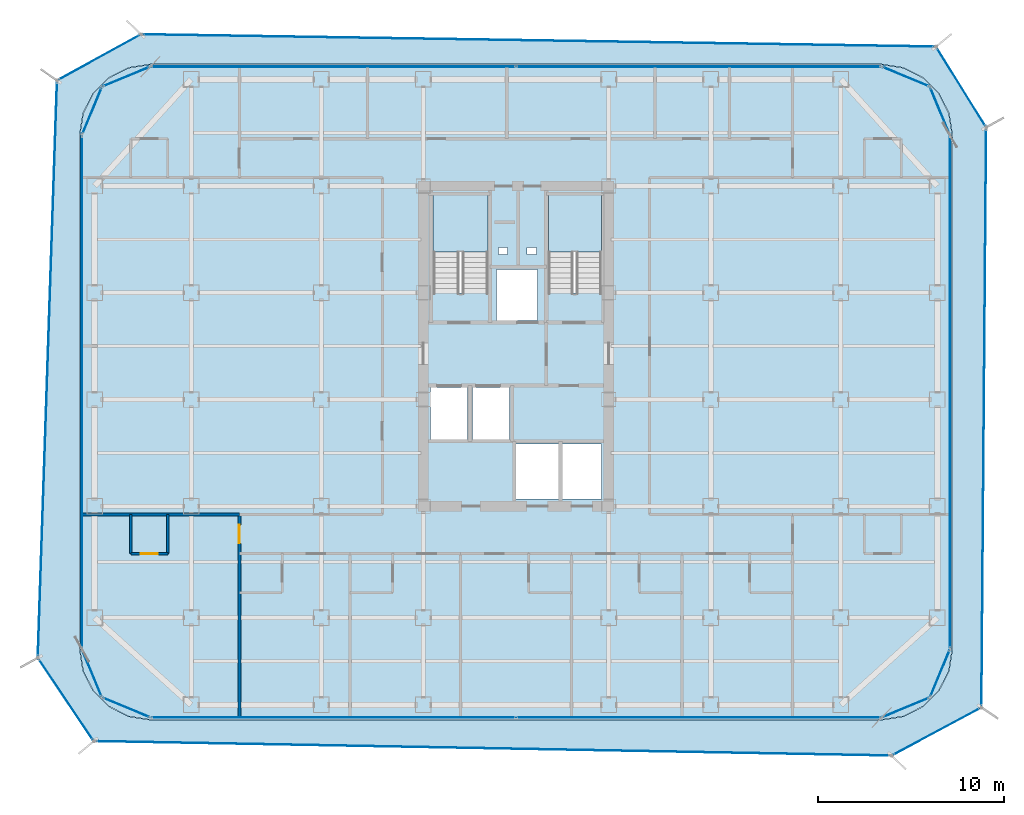
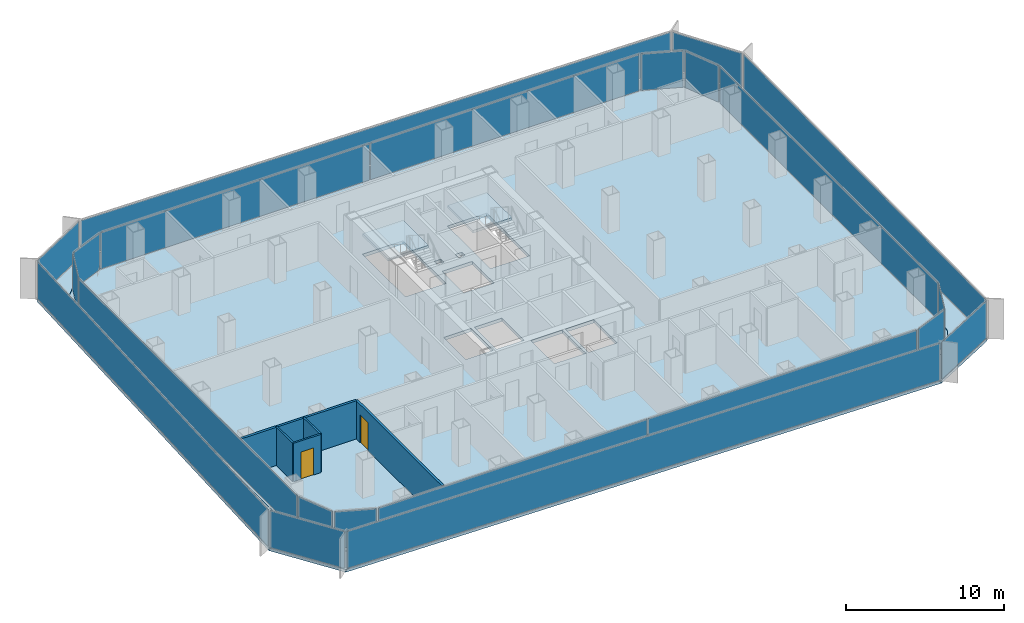
# One storey, part 15 of 21: 22 plates, 5 walls, 4 slabs, 2 doors, 2 openings, 22 elements without a shape of their own.
"""IFC4 building model written with IfcOpenShell, lengths in metres."""

from ifc_helpers import new_model, si_unit, direction, frame, frame_2d, origin, origin_2d, place, context, subcontext, project, spatial, polyline, rectangle, outline, extrude, source, transform, mapped, material, layer, layer_set, type_object, element, fill, aggregate, save


model = new_model("IFC4")

# Units and contexts
model_context = context("Model", 3, precision=1e-05, world=origin(), true_north=direction((0.0, 1.0)))
body_context = subcontext(model_context, "Body", "Model", "MODEL_VIEW")
ifc_project = project(units=[si_unit("LENGTHUNIT", "METRE"), si_unit("AREAUNIT", "SQUARE_METRE"), si_unit("VOLUMEUNIT", "CUBIC_METRE"), si_unit("PLANEANGLEUNIT", "RADIAN"), si_unit("MASSUNIT", "GRAM", prefix="KILO")], contexts=[model_context])

# Site, building, storey
site_placement = place(None, origin())
site = spatial("IfcSite", under=ifc_project, at=site_placement, CompositionType="ELEMENT")
building_placement = place(site_placement, origin())
building = spatial("IfcBuilding", under=site, at=building_placement, Name="Kolveth Station Tower", CompositionType="ELEMENT")
storey_placement = place(building_placement, frame((0.0, 0.0, 111.89990234375)))
storey = spatial("IfcBuildingStorey", under=building, at=storey_placement, Name="L30", CompositionType="ELEMENT", Elevation=111.89990234375)

# Slab
ifc_material_1 = material(Name="Concrete C40/50", Category="concrete")
ifc_layer_1 = layer(ifc_material_1, 0.25)
ifc_layer_set_1 = layer_set([ifc_layer_1], Name="Concrete C40/50")
slab_type_1 = type_object("IfcSlabType", Name="Slab_SF-250", PredefinedType="FLOOR", material=ifc_layer_set_1)
slab_1_placement = place(storey_placement, frame((0.0, 0.0, -0.25)))
element("IfcSlab", 1, at=slab_1_placement, inside=storey, type_object=slab_type_1, Name="L30 Tower Structural Floor Slab", PredefinedType="FLOOR", context=body_context, shape_type="SweptSolid", body=[
    extrude(outline(polyline([(43.199951171875, 0.0), (44.374267578125, 0.18603515625), (45.43359375, 0.7255859375), (46.2744140625, 1.56640625), (46.81396484375, 2.625732421875), (47.0, 3.800048828125), (47.0, 31.5), (46.81396484375, 32.67431640625), (46.2744140625, 33.733642578125), (45.43359375, 34.57421875), (44.374267578125, 35.114013671875), (43.199951171875, 35.300048828125), (3.800048828125, 35.300048828125), (2.625732421875, 35.114013671875), (1.56640625, 34.57421875), (0.7255859375, 33.733642578125), (0.18603515625, 32.67431640625), (0.0, 31.5), (0.0, 3.800048828125), (0.18603515625, 2.625732421875), (0.7255859375, 1.56640625), (1.56640625, 0.7255859375), (2.625732421875, 0.18603515625), (3.800048828125, 0.0), (43.199951171875, 0.0)]), holes=[polyline([(19.0400390625, 22.985107421875), (22.0, 22.985107421875), (22.0, 28.39990234375), (19.0400390625, 28.39990234375), (19.0400390625, 22.985107421875)]), polyline([(25.239990234375, 22.985107421875), (28.10009765625, 22.985107421875), (28.10009765625, 28.39990234375), (25.239990234375, 28.39990234375), (25.239990234375, 22.985107421875)]), polyline([(18.89990234375, 15.10009765625), (20.89990234375, 15.10009765625), (20.89990234375, 17.89990234375), (18.89990234375, 17.89990234375), (18.89990234375, 15.10009765625)]), polyline([(21.14990234375, 15.10009765625), (23.14990234375, 15.10009765625), (23.14990234375, 17.89990234375), (21.14990234375, 17.89990234375), (21.14990234375, 15.10009765625)]), polyline([(22.449951171875, 21.5), (24.64990234375, 21.5), (24.64990234375, 24.25), (22.449951171875, 24.25), (22.449951171875, 21.5)]), polyline([(23.5, 11.89990234375), (25.800048828125, 11.89990234375), (25.800048828125, 14.85009765625), (23.5, 14.85009765625), (23.5, 11.89990234375)]), polyline([(26.0, 11.89990234375), (28.10009765625, 11.89990234375), (28.10009765625, 14.85009765625), (26.0, 14.85009765625), (26.0, 11.89990234375)]), polyline([(22.550048828125, 25.050048828125), (23.050048828125, 25.050048828125), (23.050048828125, 25.449951171875), (22.550048828125, 25.449951171875), (22.550048828125, 25.050048828125)]), polyline([(24.10009765625, 25.050048828125), (24.60009765625, 25.050048828125), (24.60009765625, 25.449951171875), (24.10009765625, 25.449951171875), (24.10009765625, 25.050048828125)])]), origin(), (0.0, 0.0, 1.0), 0.25),
])

# Stair, slab
stair_type_1 = type_object("IfcStairType", Name="Stair_ST2", PredefinedType="HALF_TURN_STAIR", material=ifc_material_1)
stair_1_placement = place(storey_placement, origin())
stair_1 = element("IfcStair", 2, at=stair_1_placement, inside=storey, type_object=stair_type_1, Name="L30 Tower Exit Stair ST2", PredefinedType="HALF_TURN_STAIR")
ifc_layer_2 = layer(ifc_material_1, 0.18994140625)
ifc_layer_set_2 = layer_set([ifc_layer_2], Name="Concrete C40/50")
slab_type_2 = type_object("IfcSlabType", Name="Slab_SL-190", PredefinedType="LANDING", material=ifc_layer_set_2)
slab_2_placement = place(storey_placement, frame((0.0, 0.0, 1.400146484375)))
slab_2 = element("IfcSlab", 3, at=slab_2_placement, type_object=slab_type_2, Name="ST2 landing 1", PredefinedType="LANDING", context=body_context, shape_type="SweptSolid", body=[
    extrude(outline(polyline([(28.10009765625, 25.18994140625), (28.10009765625, 28.39990234375), (25.239990234375, 28.39990234375), (25.239990234375, 25.18994140625), (28.10009765625, 25.18994140625)])), origin(), (0.0, 0.0, 1.0), 0.199951171875),
])
aggregate(stair_1, [slab_2])

stair_type_2 = type_object("IfcStairType", Name="Stair_ST1", PredefinedType="HALF_TURN_STAIR", material=ifc_material_1)
stair_2_placement = place(storey_placement, origin())
stair_2 = element("IfcStair", 4, at=stair_2_placement, inside=storey, type_object=stair_type_2, Name="L30 Tower Exit Stair ST1", PredefinedType="HALF_TURN_STAIR")
ifc_layer_3 = layer(ifc_material_1, 0.205078125)
ifc_layer_set_3 = layer_set([ifc_layer_3], Name="Concrete C40/50")
slab_type_3 = type_object("IfcSlabType", Name="Slab_SL-205", PredefinedType="LANDING", material=ifc_layer_set_3)
slab_3_placement = place(storey_placement, frame((0.0, 0.0, 1.400146484375)))
slab_3 = element("IfcSlab", 5, at=slab_3_placement, type_object=slab_type_3, Name="ST1 landing 1", PredefinedType="LANDING", context=body_context, shape_type="SweptSolid", body=[
    extrude(outline(polyline([(22.0, 25.18994140625), (22.0, 28.39990234375), (19.0400390625, 28.39990234375), (19.0400390625, 25.18994140625), (22.0, 25.18994140625)])), origin(), (0.0, 0.0, 1.0), 0.199951171875),
])
aggregate(stair_2, [slab_3])

# Slab
ifc_layer_4 = layer(ifc_material_1, 0.2099609375)
ifc_layer_set_4 = layer_set([ifc_layer_4], Name="Concrete C40/50")
slab_type_4 = type_object("IfcSlabType", Name="Slab_ST-210", PredefinedType="FLOOR", material=ifc_layer_set_4)
slab_4_placement = place(storey_placement, frame((0.0, 0.0, -0.2099609375)))
element("IfcSlab", 6, at=slab_4_placement, inside=storey, type_object=slab_type_4, Name="L30 Double-Skin Cavity Structural Ledger Ring", PredefinedType="FLOOR", context=body_context, shape_type="SweptSolid", body=[
    extrude(outline(polyline([(0.757568359375, -1.15576171875), (-2.260498046875, 3.335693359375), (-1.22314453125, 34.43798828125), (3.3017578125, 36.92236328125), (46.130859375, 36.26025390625), (48.83203125, 31.910400390625), (48.5771484375, 0.658203125), (43.737060546875, -1.936279296875), (0.757568359375, -1.15576171875)]), holes=[polyline([(43.202392578125, -0.014892578125), (44.376708984375, 0.171142578125), (44.381103515625, 0.172607421875), (45.4404296875, 0.71240234375), (45.444091796875, 0.715087890625), (46.284912109375, 1.555908203125), (46.28759765625, 1.5595703125), (46.827392578125, 2.618896484375), (46.828857421875, 2.623291015625), (47.014892578125, 3.797607421875), (47.014892578125, 3.800048828125), (47.014892578125, 31.5), (47.014892578125, 31.502197265625), (46.828857421875, 32.676513671875), (46.827392578125, 32.68115234375), (46.28759765625, 33.740478515625), (46.284912109375, 33.744140625), (45.444091796875, 34.5849609375), (45.4404296875, 34.587646484375), (44.381103515625, 35.12744140625), (44.376708984375, 35.12890625), (43.202392578125, 35.314697265625), (43.199951171875, 35.31494140625), (3.800048828125, 35.31494140625), (3.797607421875, 35.314697265625), (2.623291015625, 35.12890625), (2.618896484375, 35.12744140625), (1.5595703125, 34.587646484375), (1.555908203125, 34.5849609375), (0.715087890625, 33.744140625), (0.71240234375, 33.740478515625), (0.172607421875, 32.68115234375), (0.171142578125, 32.676513671875), (-0.014892578125, 31.502197265625), (-0.014892578125, 31.5), (-0.014892578125, 3.800048828125), (-0.014892578125, 3.797607421875), (0.171142578125, 2.623291015625), (0.172607421875, 2.618896484375), (0.71240234375, 1.5595703125), (0.715087890625, 1.555908203125), (1.555908203125, 0.715087890625), (1.5595703125, 0.71240234375), (2.618896484375, 0.172607421875), (2.623291015625, 0.171142578125), (3.797607421875, -0.014892578125), (3.800048828125, -0.014892578125), (43.199951171875, -0.014892578125), (43.202392578125, -0.014892578125)])]), origin(), (0.0, 0.0, 1.0), 0.2099609375),
])

# Curtain wall, plate
ifc_material_2 = material(Name="Aluminium 6063-T6 and low-E dark glass", Category="aluminium")
ifc_layer_5 = layer(ifc_material_2, 0.18994140625)
ifc_layer_set_5 = layer_set([ifc_layer_5], Name="Aluminium 6063-T6 and low-E dark glass")
curtain_wall_type_1 = type_object("IfcCurtainWallType", Name="CurtainWall_CW-Z2", PredefinedType="NOTDEFINED", material=ifc_layer_set_5)
curtain_wall_1_placement = place(storey_placement, origin())
curtain_wall_1 = element("IfcCurtainWall", 7, at=curtain_wall_1_placement, inside=storey, type_object=curtain_wall_type_1, Name="L30 Inner Thermal Curtain Wall 1", PredefinedType="NOTDEFINED")
ifc_material_3 = material(Name="Architectural low-E dark glass", Category="glass")
ifc_layer_6 = layer(ifc_material_3, 0.0380859375)
ifc_layer_set_6 = layer_set([ifc_layer_6], Name="Architectural low-E dark glass")
plate_type_1 = type_object("IfcPlateType", Name="Panel_GL2", PredefinedType="CURTAIN_PANEL", material=ifc_layer_set_6)
shared_shape_1 = source(origin(), body_context, "Body", "SweptSolid", [
    extrude(rectangle(XDim=2.670654296875, YDim=0.0380859375, at=origin_2d()), origin(), (0.0, 0.0, 1.0), 2.803955078125),
])
plate_1_placement = place(storey_placement, frame((44.501220703125, 0.658935546875, 0.0732421875), z_axis=(0.0, 0.0, 1.0), x_axis=(0.923887883787, 0.38266326998, 0.0)))
plate_1 = element("IfcPlate", 8, at=plate_1_placement, type_object=plate_type_1, Name="CW-Z2 panel 1.1", PredefinedType="CURTAIN_PANEL", context=body_context, shape_type="MappedRepresentation", body=[
    mapped(shared_shape_1, transform((0.0, 0.0, 0.0), x_axis=(1.0, 0.0, 0.0), y_axis=(0.0, 1.0, 0.0), z_axis=(0.0, 0.0, 1.0), scale=1.0)),
])
aggregate(curtain_wall_1, [plate_1])

curtain_wall_2_placement = place(storey_placement, origin())
curtain_wall_2 = element("IfcCurtainWall", 9, at=curtain_wall_2_placement, inside=storey, type_object=curtain_wall_type_1, Name="L30 Inner Thermal Curtain Wall 2", PredefinedType="NOTDEFINED")
plate_2_placement = place(storey_placement, frame((46.341064453125, 2.498779296875, 0.0732421875), z_axis=(0.0, 0.0, 1.0), x_axis=(0.38266326998, 0.923887883787, 0.0)))
plate_2 = element("IfcPlate", 10, at=plate_2_placement, type_object=plate_type_1, Name="CW-Z2 panel 1.1", PredefinedType="CURTAIN_PANEL", context=body_context, shape_type="MappedRepresentation", body=[
    mapped(shared_shape_1, transform((0.0, 0.0, 0.0), x_axis=(1.0, 0.0, 0.0), y_axis=(0.0, 1.0, 0.0), z_axis=(0.0, 0.0, 1.0), scale=1.0)),
])
aggregate(curtain_wall_2, [plate_2])

curtain_wall_3_placement = place(storey_placement, origin())
curtain_wall_3 = element("IfcCurtainWall", 11, at=curtain_wall_3_placement, inside=storey, type_object=curtain_wall_type_1, Name="L30 Inner Thermal Curtain Wall 4", PredefinedType="NOTDEFINED")
plate_3_placement = place(storey_placement, frame((46.341064453125, 32.801025390625, 0.0732421875), z_axis=(0.0, 0.0, 1.0), x_axis=(-0.38266326998, 0.923887883787, 0.0)))
plate_3 = element("IfcPlate", 12, at=plate_3_placement, type_object=plate_type_1, Name="CW-Z2 panel 1.1", PredefinedType="CURTAIN_PANEL", context=body_context, shape_type="MappedRepresentation", body=[
    mapped(shared_shape_1, transform((0.0, 0.0, 0.0), x_axis=(1.0, 0.0, 0.0), y_axis=(0.0, 1.0, 0.0), z_axis=(0.0, 0.0, 1.0), scale=1.0)),
])
aggregate(curtain_wall_3, [plate_3])

curtain_wall_4_placement = place(storey_placement, origin())
curtain_wall_4 = element("IfcCurtainWall", 13, at=curtain_wall_4_placement, inside=storey, type_object=curtain_wall_type_1, Name="L30 Inner Thermal Curtain Wall 5", PredefinedType="NOTDEFINED")
plate_4_placement = place(storey_placement, frame((44.501220703125, 34.64111328125, 0.0732421875), z_axis=(0.0, 0.0, 1.0), x_axis=(-0.923887883787, 0.38266326998, 0.0)))
plate_4 = element("IfcPlate", 14, at=plate_4_placement, type_object=plate_type_1, Name="CW-Z2 panel 1.1", PredefinedType="CURTAIN_PANEL", context=body_context, shape_type="MappedRepresentation", body=[
    mapped(shared_shape_1, transform((0.0, 0.0, 0.0), x_axis=(1.0, 0.0, 0.0), y_axis=(0.0, 1.0, 0.0), z_axis=(0.0, 0.0, 1.0), scale=1.0)),
])
aggregate(curtain_wall_4, [plate_4])

curtain_wall_5_placement = place(storey_placement, origin())
curtain_wall_5 = element("IfcCurtainWall", 15, at=curtain_wall_5_placement, inside=storey, type_object=curtain_wall_type_1, Name="L30 Inner Thermal Curtain Wall 7", PredefinedType="NOTDEFINED")
plate_5_placement = place(storey_placement, frame((2.498779296875, 34.64111328125, 0.0732421875), z_axis=(0.0, 0.0, 1.0), x_axis=(-0.923887883787, -0.38266326998, 0.0)))
plate_5 = element("IfcPlate", 16, at=plate_5_placement, type_object=plate_type_1, Name="CW-Z2 panel 1.1", PredefinedType="CURTAIN_PANEL", context=body_context, shape_type="MappedRepresentation", body=[
    mapped(shared_shape_1, transform((0.0, 0.0, 0.0), x_axis=(1.0, 0.0, 0.0), y_axis=(0.0, 1.0, 0.0), z_axis=(0.0, 0.0, 1.0), scale=1.0)),
])
aggregate(curtain_wall_5, [plate_5])

curtain_wall_6_placement = place(storey_placement, origin())
curtain_wall_6 = element("IfcCurtainWall", 17, at=curtain_wall_6_placement, inside=storey, type_object=curtain_wall_type_1, Name="L30 Inner Thermal Curtain Wall 8", PredefinedType="NOTDEFINED")
plate_6_placement = place(storey_placement, frame((0.658935546875, 32.801025390625, 0.0732421875), z_axis=(0.0, 0.0, 1.0), x_axis=(-0.38266326998, -0.923887883787, 0.0)))
plate_6 = element("IfcPlate", 18, at=plate_6_placement, type_object=plate_type_1, Name="CW-Z2 panel 1.1", PredefinedType="CURTAIN_PANEL", context=body_context, shape_type="MappedRepresentation", body=[
    mapped(shared_shape_1, transform((0.0, 0.0, 0.0), x_axis=(1.0, 0.0, 0.0), y_axis=(0.0, 1.0, 0.0), z_axis=(0.0, 0.0, 1.0), scale=1.0)),
])
aggregate(curtain_wall_6, [plate_6])

curtain_wall_7_placement = place(storey_placement, origin())
curtain_wall_7 = element("IfcCurtainWall", 19, at=curtain_wall_7_placement, inside=storey, type_object=curtain_wall_type_1, Name="L30 Inner Thermal Curtain Wall 10", PredefinedType="NOTDEFINED")
plate_7_placement = place(storey_placement, frame((0.658935546875, 2.498779296875, 0.0732421875), z_axis=(0.0, 0.0, 1.0), x_axis=(0.38266326998, -0.923887883787, 0.0)))
plate_7 = element("IfcPlate", 20, at=plate_7_placement, type_object=plate_type_1, Name="CW-Z2 panel 1.1", PredefinedType="CURTAIN_PANEL", context=body_context, shape_type="MappedRepresentation", body=[
    mapped(shared_shape_1, transform((0.0, 0.0, 0.0), x_axis=(1.0, 0.0, 0.0), y_axis=(0.0, 1.0, 0.0), z_axis=(0.0, 0.0, 1.0), scale=1.0)),
])
aggregate(curtain_wall_7, [plate_7])

curtain_wall_8_placement = place(storey_placement, origin())
curtain_wall_8 = element("IfcCurtainWall", 21, at=curtain_wall_8_placement, inside=storey, type_object=curtain_wall_type_1, Name="L30 Inner Thermal Curtain Wall 11", PredefinedType="NOTDEFINED")
plate_8_placement = place(storey_placement, frame((2.498779296875, 0.658935546875, 0.0732421875), z_axis=(0.0, 0.0, 1.0), x_axis=(0.923887883787, -0.38266326998, 0.0)))
plate_8 = element("IfcPlate", 22, at=plate_8_placement, type_object=plate_type_1, Name="CW-Z2 panel 1.1", PredefinedType="CURTAIN_PANEL", context=body_context, shape_type="MappedRepresentation", body=[
    mapped(shared_shape_1, transform((0.0, 0.0, 0.0), x_axis=(1.0, 0.0, 0.0), y_axis=(0.0, 1.0, 0.0), z_axis=(0.0, 0.0, 1.0), scale=1.0)),
])
aggregate(curtain_wall_8, [plate_8])

curtain_wall_9_placement = place(storey_placement, origin())
curtain_wall_9 = element("IfcCurtainWall", 23, at=curtain_wall_9_placement, inside=storey, type_object=curtain_wall_type_1, Name="L30 Inner Thermal Curtain Wall 3", PredefinedType="NOTDEFINED")
shared_shape_2 = source(origin(), body_context, "Body", "SweptSolid", [
    extrude(rectangle(XDim=27.553955078125, YDim=0.0380859375, at=origin_2d()), origin(), (0.0, 0.0, 1.0), 2.803955078125),
])
plate_9_placement = place(storey_placement, frame((46.8798828125, 17.64990234375, 0.0732421875), z_axis=(0.0, 0.0, 1.0), x_axis=(0.0, 1.0, 0.0)))
plate_9 = element("IfcPlate", 24, at=plate_9_placement, type_object=plate_type_1, Name="CW-Z2 panel 1.1", PredefinedType="CURTAIN_PANEL", context=body_context, shape_type="MappedRepresentation", body=[
    mapped(shared_shape_2, transform((0.0, 0.0, 0.0), x_axis=(1.0, 0.0, 0.0), y_axis=(0.0, 1.0, 0.0), z_axis=(0.0, 0.0, 1.0), scale=1.0)),
])
aggregate(curtain_wall_9, [plate_9])

curtain_wall_10_placement = place(storey_placement, origin())
curtain_wall_10 = element("IfcCurtainWall", 25, at=curtain_wall_10_placement, inside=storey, type_object=curtain_wall_type_1, Name="L30 Inner Thermal Curtain Wall 9", PredefinedType="NOTDEFINED")
plate_10_placement = place(storey_placement, frame((0.1201171875, 17.64990234375, 0.0732421875), z_axis=(0.0, 0.0, 1.0), x_axis=(0.0, -1.0, 0.0)))
plate_10 = element("IfcPlate", 26, at=plate_10_placement, type_object=plate_type_1, Name="CW-Z2 panel 1.1", PredefinedType="CURTAIN_PANEL", context=body_context, shape_type="MappedRepresentation", body=[
    mapped(shared_shape_2, transform((0.0, 0.0, 0.0), x_axis=(1.0, 0.0, 0.0), y_axis=(0.0, 1.0, 0.0), z_axis=(0.0, 0.0, 1.0), scale=1.0)),
])
aggregate(curtain_wall_10, [plate_10])

# Curtain wall, plates
curtain_wall_11_placement = place(storey_placement, origin())
curtain_wall_11 = element("IfcCurtainWall", 27, at=curtain_wall_11_placement, inside=storey, type_object=curtain_wall_type_1, Name="L30 Inner Thermal Curtain Wall 6", PredefinedType="NOTDEFINED")
shared_shape_3 = source(origin(), body_context, "Body", "SweptSolid", [
    extrude(rectangle(XDim=19.593994140625, YDim=0.0380859375, at=origin_2d()), origin(), (0.0, 0.0, 1.0), 2.803955078125),
])
plate_11_placement = place(storey_placement, frame((33.330078125, 35.179931640625, 0.0732421875), z_axis=(0.0, 0.0, 1.0), x_axis=(-1.0, 0.0, 0.0)))
plate_11 = element("IfcPlate", 28, at=plate_11_placement, type_object=plate_type_1, Name="CW-Z2 panel 1.1", PredefinedType="CURTAIN_PANEL", context=body_context, shape_type="MappedRepresentation", body=[
    mapped(shared_shape_3, transform((0.0, 0.0, 0.0), x_axis=(1.0, 0.0, 0.0), y_axis=(0.0, 1.0, 0.0), z_axis=(0.0, 0.0, 1.0), scale=1.0)),
])
plate_12_placement = place(storey_placement, frame((13.669921875, 35.179931640625, 0.0732421875), z_axis=(0.0, 0.0, 1.0), x_axis=(-1.0, 0.0, 0.0)))
plate_12 = element("IfcPlate", 29, at=plate_12_placement, type_object=plate_type_1, Name="CW-Z2 panel 2.1", PredefinedType="CURTAIN_PANEL", context=body_context, shape_type="MappedRepresentation", body=[
    mapped(shared_shape_3, transform((0.0, 0.0, 0.0), x_axis=(1.0, 0.0, 0.0), y_axis=(0.0, 1.0, 0.0), z_axis=(0.0, 0.0, 1.0), scale=1.0)),
])
aggregate(curtain_wall_11, [plate_11, plate_12])

curtain_wall_12_placement = place(storey_placement, origin())
curtain_wall_12 = element("IfcCurtainWall", 30, at=curtain_wall_12_placement, inside=storey, type_object=curtain_wall_type_1, Name="L30 Inner Thermal Curtain Wall 12", PredefinedType="NOTDEFINED")
plate_13_placement = place(storey_placement, frame((13.669921875, 0.1201171875, 0.0732421875), z_axis=(0.0, 0.0, 1.0), x_axis=(1.0, 0.0, 0.0)))
plate_13 = element("IfcPlate", 31, at=plate_13_placement, type_object=plate_type_1, Name="CW-Z2 panel 1.1", PredefinedType="CURTAIN_PANEL", context=body_context, shape_type="MappedRepresentation", body=[
    mapped(shared_shape_3, transform((0.0, 0.0, 0.0), x_axis=(1.0, 0.0, 0.0), y_axis=(0.0, 1.0, 0.0), z_axis=(0.0, 0.0, 1.0), scale=1.0)),
])
plate_14_placement = place(storey_placement, frame((33.330078125, 0.1201171875, 0.0732421875), z_axis=(0.0, 0.0, 1.0), x_axis=(1.0, 0.0, 0.0)))
plate_14 = element("IfcPlate", 32, at=plate_14_placement, type_object=plate_type_1, Name="CW-Z2 panel 2.1", PredefinedType="CURTAIN_PANEL", context=body_context, shape_type="MappedRepresentation", body=[
    mapped(shared_shape_3, transform((0.0, 0.0, 0.0), x_axis=(1.0, 0.0, 0.0), y_axis=(0.0, 1.0, 0.0), z_axis=(0.0, 0.0, 1.0), scale=1.0)),
])
aggregate(curtain_wall_12, [plate_13, plate_14])

# Curtain wall, plate
ifc_material_4 = material(Name="Black anodized aluminium 6063-T6 and dark solar glass", Category="aluminium")
ifc_layer_7 = layer(ifc_material_4, 0.159912109375)
ifc_layer_set_7 = layer_set([ifc_layer_7], Name="Black anodized aluminium 6063-T6 and dark solar glass")
curtain_wall_type_2 = type_object("IfcCurtainWallType", Name="OUTER SKIN CW-OS", PredefinedType="NOTDEFINED", material=ifc_layer_set_7)
curtain_wall_13_placement = place(storey_placement, origin())
curtain_wall_13 = element("IfcCurtainWall", 33, at=curtain_wall_13_placement, inside=storey, type_object=curtain_wall_type_2, Name="L30 Outer Ventilated Skin Curtain Wall 1", PredefinedType="NOTDEFINED")
ifc_layer_8 = layer(ifc_material_3, 0.028076171875)
ifc_layer_set_8 = layer_set([ifc_layer_8], Name="Architectural low-E dark glass")
plate_type_2 = type_object("IfcPlateType", Name="Panel_GL-OS", PredefinedType="CURTAIN_PANEL", material=ifc_layer_set_8)
shared_shape_4 = source(origin(), body_context, "Body", "SweptSolid", [
    extrude(rectangle(XDim=5.32568359375, YDim=0.028076171875, at=origin_2d()), origin(), (0.0, 0.0, 1.0), 2.843994140625),
])
plate_15_placement = place(storey_placement, frame((46.1572265625, -0.63916015625, 0.0732421875), z_axis=(0.0, 0.0, 1.0), x_axis=(0.88135947691, 0.472446264099, 0.0)))
plate_15 = element("IfcPlate", 34, at=plate_15_placement, type_object=plate_type_2, Name="CW-OS panel 1.1", PredefinedType="CURTAIN_PANEL", context=body_context, shape_type="MappedRepresentation", body=[
    mapped(shared_shape_4, transform((0.0, 0.0, 0.0), x_axis=(1.0, 0.0, 0.0), y_axis=(0.0, 1.0, 0.0), z_axis=(0.0, 0.0, 1.0), scale=1.0)),
])
aggregate(curtain_wall_13, [plate_15])

curtain_wall_14_placement = place(storey_placement, origin())
curtain_wall_14 = element("IfcCurtainWall", 35, at=curtain_wall_14_placement, inside=storey, type_object=curtain_wall_type_2, Name="L30 Outer Ventilated Skin Curtain Wall 2", PredefinedType="NOTDEFINED")
shared_shape_5 = source(origin(), body_context, "Body", "SweptSolid", [
    extrude(rectangle(XDim=31.087158203125, YDim=0.028076171875, at=origin_2d()), origin(), (0.0, 0.0, 1.0), 2.843994140625),
])
plate_16_placement = place(storey_placement, frame((48.70458984375, 16.2841796875, 0.0732421875), z_axis=(0.0, 0.0, 1.0), x_axis=(0.008152755074, 0.99996676574, 0.0)))
plate_16 = element("IfcPlate", 36, at=plate_16_placement, type_object=plate_type_2, Name="CW-OS panel 1.1", PredefinedType="CURTAIN_PANEL", context=body_context, shape_type="MappedRepresentation", body=[
    mapped(shared_shape_5, transform((0.0, 0.0, 0.0), x_axis=(1.0, 0.0, 0.0), y_axis=(0.0, 1.0, 0.0), z_axis=(0.0, 0.0, 1.0), scale=1.0)),
])
aggregate(curtain_wall_14, [plate_16])

curtain_wall_15_placement = place(storey_placement, origin())
curtain_wall_15 = element("IfcCurtainWall", 37, at=curtain_wall_15_placement, inside=storey, type_object=curtain_wall_type_2, Name="L30 Outer Ventilated Skin Curtain Wall 3", PredefinedType="NOTDEFINED")
shared_shape_6 = source(origin(), body_context, "Body", "SweptSolid", [
    extrude(rectangle(XDim=4.954345703125, YDim=0.028076171875, at=origin_2d()), origin(), (0.0, 0.0, 1.0), 2.843994140625),
])
plate_17_placement = place(storey_placement, frame((47.4814453125, 34.085205078125, 0.0732421875), z_axis=(0.0, 0.0, 1.0), x_axis=(-0.52752668662, 0.849538459932, 0.0)))
plate_17 = element("IfcPlate", 38, at=plate_17_placement, type_object=plate_type_2, Name="CW-OS panel 1.1", PredefinedType="CURTAIN_PANEL", context=body_context, shape_type="MappedRepresentation", body=[
    mapped(shared_shape_6, transform((0.0, 0.0, 0.0), x_axis=(1.0, 0.0, 0.0), y_axis=(0.0, 1.0, 0.0), z_axis=(0.0, 0.0, 1.0), scale=1.0)),
])
aggregate(curtain_wall_15, [plate_17])

curtain_wall_16_placement = place(storey_placement, origin())
curtain_wall_16 = element("IfcCurtainWall", 39, at=curtain_wall_16_placement, inside=storey, type_object=curtain_wall_type_2, Name="L30 Outer Ventilated Skin Curtain Wall 4", PredefinedType="NOTDEFINED")
shared_shape_7 = source(origin(), body_context, "Body", "SweptSolid", [
    extrude(rectangle(XDim=42.668212890625, YDim=0.028076171875, at=origin_2d()), origin(), (0.0, 0.0, 1.0), 2.843994140625),
])
plate_18_placement = place(storey_placement, frame((24.71630859375, 36.59130859375, 0.0732421875), z_axis=(0.0, 0.0, 1.0), x_axis=(-0.999880529846, 0.015457232416, 0.0)))
plate_18 = element("IfcPlate", 40, at=plate_18_placement, type_object=plate_type_2, Name="CW-OS panel 1.1", PredefinedType="CURTAIN_PANEL", context=body_context, shape_type="MappedRepresentation", body=[
    mapped(shared_shape_7, transform((0.0, 0.0, 0.0), x_axis=(1.0, 0.0, 0.0), y_axis=(0.0, 1.0, 0.0), z_axis=(0.0, 0.0, 1.0), scale=1.0)),
])
aggregate(curtain_wall_16, [plate_18])

curtain_wall_17_placement = place(storey_placement, origin())
curtain_wall_17 = element("IfcCurtainWall", 41, at=curtain_wall_17_placement, inside=storey, type_object=curtain_wall_type_2, Name="L30 Outer Ventilated Skin Curtain Wall 5", PredefinedType="NOTDEFINED")
shared_shape_8 = source(origin(), body_context, "Body", "SweptSolid", [
    extrude(rectangle(XDim=4.99609375, YDim=0.028076171875, at=origin_2d()), origin(), (0.0, 0.0, 1.0), 2.843994140625),
])
plate_19_placement = place(storey_placement, frame((1.039306640625, 35.68017578125, 0.0732421875), z_axis=(0.0, 0.0, 1.0), x_axis=(-0.876575185653, -0.481264941479, 0.0)))
plate_19 = element("IfcPlate", 42, at=plate_19_placement, type_object=plate_type_2, Name="CW-OS panel 1.1", PredefinedType="CURTAIN_PANEL", context=body_context, shape_type="MappedRepresentation", body=[
    mapped(shared_shape_8, transform((0.0, 0.0, 0.0), x_axis=(1.0, 0.0, 0.0), y_axis=(0.0, 1.0, 0.0), z_axis=(0.0, 0.0, 1.0), scale=1.0)),
])
aggregate(curtain_wall_17, [plate_19])

curtain_wall_18_placement = place(storey_placement, origin())
curtain_wall_18 = element("IfcCurtainWall", 43, at=curtain_wall_18_placement, inside=storey, type_object=curtain_wall_type_2, Name="L30 Outer Ventilated Skin Curtain Wall 6", PredefinedType="NOTDEFINED")
shared_shape_9 = source(origin(), body_context, "Body", "SweptSolid", [
    extrude(rectangle(XDim=30.95361328125, YDim=0.028076171875, at=origin_2d()), origin(), (0.0, 0.0, 1.0), 2.843994140625),
])
plate_20_placement = place(storey_placement, frame((-1.741943359375, 18.88671875, 0.0732421875), z_axis=(0.0, 0.0, 1.0), x_axis=(-0.033332591305, -0.999444314785, 0.0)))
plate_20 = element("IfcPlate", 44, at=plate_20_placement, type_object=plate_type_2, Name="CW-OS panel 1.1", PredefinedType="CURTAIN_PANEL", context=body_context, shape_type="MappedRepresentation", body=[
    mapped(shared_shape_9, transform((0.0, 0.0, 0.0), x_axis=(1.0, 0.0, 0.0), y_axis=(0.0, 1.0, 0.0), z_axis=(0.0, 0.0, 1.0), scale=1.0)),
])
aggregate(curtain_wall_18, [plate_20])

curtain_wall_19_placement = place(storey_placement, origin())
curtain_wall_19 = element("IfcCurtainWall", 45, at=curtain_wall_19_placement, inside=storey, type_object=curtain_wall_type_2, Name="L30 Outer Ventilated Skin Curtain Wall 7", PredefinedType="NOTDEFINED")
shared_shape_10 = source(origin(), body_context, "Body", "SweptSolid", [
    extrude(rectangle(XDim=5.2451171875, YDim=0.028076171875, at=origin_2d()), origin(), (0.0, 0.0, 1.0), 2.843994140625),
])
plate_21_placement = place(storey_placement, frame((-0.75146484375, 1.08984375, 0.0732421875), z_axis=(0.0, 0.0, 1.0), x_axis=(0.557754230931, -0.830006155325, 0.0)))
plate_21 = element("IfcPlate", 46, at=plate_21_placement, type_object=plate_type_2, Name="CW-OS panel 1.1", PredefinedType="CURTAIN_PANEL", context=body_context, shape_type="MappedRepresentation", body=[
    mapped(shared_shape_10, transform((0.0, 0.0, 0.0), x_axis=(1.0, 0.0, 0.0), y_axis=(0.0, 1.0, 0.0), z_axis=(0.0, 0.0, 1.0), scale=1.0)),
])
aggregate(curtain_wall_19, [plate_21])

curtain_wall_20_placement = place(storey_placement, origin())
curtain_wall_20 = element("IfcCurtainWall", 47, at=curtain_wall_20_placement, inside=storey, type_object=curtain_wall_type_2, Name="L30 Outer Ventilated Skin Curtain Wall 8", PredefinedType="NOTDEFINED")
shared_shape_11 = source(origin(), body_context, "Body", "SweptSolid", [
    extrude(rectangle(XDim=42.820556640625, YDim=0.028076171875, at=origin_2d()), origin(), (0.0, 0.0, 1.0), 2.843994140625),
])
plate_22_placement = place(storey_placement, frame((22.247314453125, -1.546142578125, 0.0732421875), z_axis=(0.0, 0.0, 1.0), x_axis=(0.99983506676, -0.018161477836, 0.0)))
plate_22 = element("IfcPlate", 48, at=plate_22_placement, type_object=plate_type_2, Name="CW-OS panel 1.1", PredefinedType="CURTAIN_PANEL", context=body_context, shape_type="MappedRepresentation", body=[
    mapped(shared_shape_11, transform((0.0, 0.0, 0.0), x_axis=(1.0, 0.0, 0.0), y_axis=(0.0, 1.0, 0.0), z_axis=(0.0, 0.0, 1.0), scale=1.0)),
])
aggregate(curtain_wall_20, [plate_22])

# Walls
ifc_material_5 = material(Name="Moisture-resistant gypsum partition")
ifc_layer_9 = layer(ifc_material_5, 0.135009765625)
ifc_layer_set_9 = layer_set([ifc_layer_9], Name="Moisture-resistant gypsum partition")
wall_type_1 = type_object("IfcWallType", Name="Wall_IW-135", PredefinedType="PARTITIONING", material=ifc_layer_set_9)
for number, where, z_axis, x_axis, name in (
    (49, (2.75, 8.949951171875, 0.0), (0.0, 0.0, 1.0), (0.0, 1.0, 0.0), "L30 Partition Wall WL-L30-WS1-BV1"),
    (50, (4.75, 8.949951171875, 0.0), (0.0, 0.0, 1.0), (0.0, 1.0, 0.0), "L30 Partition Wall WL-L30-WS1-BV2"),
):
    element("IfcWall", number, at=place(storey_placement, frame(where, z_axis=z_axis, x_axis=x_axis)), inside=storey, type_object=wall_type_1, Name=name, PredefinedType="PARTITIONING", context=body_context, shape_type="SweptSolid", body=[
        extrude(rectangle(XDim=2.10009765625, YDim=0.135009765625, at=frame_2d((1.050048828125, 0.0))), origin(), (0.0, 0.0, 1.0), 2.9501953125),
    ])

# Wall, opening, door
wall_1_placement = place(storey_placement, frame((2.75, 8.949951171875, 0.0), z_axis=(0.0, 0.0, 1.0), x_axis=(1.0, 0.0, 0.0)))
wall_1 = element("IfcWall", 51, at=wall_1_placement, inside=storey, type_object=wall_type_1, Name="L30 Partition Wall WL-L30-WS1-BH", PredefinedType="PARTITIONING", context=body_context, shape_type="SweptSolid", body=[
    extrude(rectangle(XDim=2.0, YDim=0.135009765625, at=frame_2d((1.0, 0.0))), origin(), (0.0, 0.0, 1.0), 2.9501953125),
])
opening_1_placement = place(wall_1_placement, frame((0.5400390625, 0.0, 0.0)))
opening_1 = element("IfcOpeningElement", 52, at=opening_1_placement, cuts=wall_1, Name="Opening ID2", PredefinedType="OPENING", context=body_context, shape_type="SweptSolid", body=[
    extrude(rectangle(XDim=0.919921875, YDim=2.10009765625, at=frame_2d((0.4599609375, 1.050048828125))), frame((0.0, 0.077392578125, 0.0), z_axis=(0.0, -1.0, 0.0), x_axis=(1.0, 0.0, 0.0)), (0.0, 0.0, 1.0), 0.155029296875),
])
ifc_material_6 = material(Name="Moisture-resistant hardwood leaf", Category="wood")
door_type_1 = type_object("IfcDoorType", Name="Door_ID2", OperationType="NOTDEFINED", PredefinedType="DOOR", material=ifc_material_6)
door_1_placement = place(opening_1_placement, origin())
door_1 = element("IfcDoor", 53, at=door_1_placement, inside=storey, type_object=door_type_1, Name="L30 Hotel Corner Suite WS1 En-Suite Door", OperationType="SINGLE_SWING_RIGHT", OverallHeight=2.10009765625, OverallWidth=0.919921875, PredefinedType="DOOR", context=body_context, shape_type="SweptSolid", body=[
    extrude(rectangle(XDim=0.919921875, YDim=2.10009765625, at=frame_2d((0.4599609375, 1.050048828125))), frame((0.0, 0.02490234375, 0.0), z_axis=(0.0, -1.0, 0.0), x_axis=(1.0, 0.0, 0.0)), (0.0, 0.0, 1.0), 0.050048828125),
])
fill(opening_1, door_1)

ifc_material_7 = material(Name="Acoustic double-stud gypsum partition")
ifc_layer_10 = layer(ifc_material_7, 0.1650390625)
ifc_layer_set_10 = layer_set([ifc_layer_10], Name="Acoustic double-stud gypsum partition")
wall_type_2 = type_object("IfcWallType", Name="Wall_IW-165", PredefinedType="PARTITIONING", material=ifc_layer_set_10)
wall_2_placement = place(storey_placement, frame((8.60009765625, 0.159912109375, 0.0), z_axis=(0.0, 0.0, 1.0), x_axis=(0.0, 1.0, 0.0)))
wall_2 = element("IfcWall", 54, at=wall_2_placement, inside=storey, type_object=wall_type_2, Name="L30 Partition Wall WL-L30-END-WS", PredefinedType="PARTITIONING", context=body_context, shape_type="SweptSolid", body=[
    extrude(rectangle(XDim=10.89013671875, YDim=0.1650390625, at=frame_2d((5.445068359375, 0.0))), origin(), (0.0, 0.0, 1.0), 2.9501953125),
])
opening_2_placement = place(wall_2_placement, frame((9.340087890625, 0.0, 0.0)))
opening_2 = element("IfcOpeningElement", 55, at=opening_2_placement, cuts=wall_2, Name="Opening FD3", PredefinedType="OPENING", context=body_context, shape_type="SweptSolid", body=[
    extrude(rectangle(XDim=1.0, YDim=2.14990234375, at=frame_2d((0.5, 1.074951171875))), frame((0.0, 0.092529296875, 0.0), z_axis=(0.0, -1.0, 0.0), x_axis=(1.0, 0.0, 0.0)), (0.0, 0.0, 1.0), 0.18505859375),
])
ifc_material_8 = material(Name="Fire-rated hardwood leaf and aluminium frame", Category="wood")
door_type_2 = type_object("IfcDoorType", Name="Door_FD3", OperationType="NOTDEFINED", PredefinedType="DOOR", material=ifc_material_8)
door_2_placement = place(opening_2_placement, origin())
door_2 = element("IfcDoor", 56, at=door_2_placement, inside=storey, type_object=door_type_2, Name="L30 Hotel Corner Suite WS1 Entrance Door", OperationType="SINGLE_SWING_LEFT", OverallHeight=2.14990234375, OverallWidth=1.0, PredefinedType="DOOR", context=body_context, shape_type="SweptSolid", body=[
    extrude(rectangle(XDim=1.0, YDim=2.14990234375, at=frame_2d((0.5, 1.074951171875))), frame((0.0, 0.02490234375, 0.0), z_axis=(0.0, -1.0, 0.0), x_axis=(1.0, 0.0, 0.0)), (0.0, 0.0, 1.0), 0.050048828125),
])
fill(opening_2, door_2)

# Wall
wall_3_placement = place(storey_placement, frame((0.159912109375, 11.050048828125, 0.0), z_axis=(0.0, 0.0, 1.0), x_axis=(1.0, 0.0, 0.0)))
element("IfcWall", 57, at=wall_3_placement, inside=storey, type_object=wall_type_2, Name="L30 Partition Wall WL-L30-WM1", PredefinedType="PARTITIONING", context=body_context, shape_type="SweptSolid", body=[
    extrude(rectangle(XDim=8.440185546875, YDim=0.1650390625, at=frame_2d((4.22021484375, 0.0))), origin(), (0.0, 0.0, 1.0), 2.9501953125),
])

save(model, "model.ifc")
